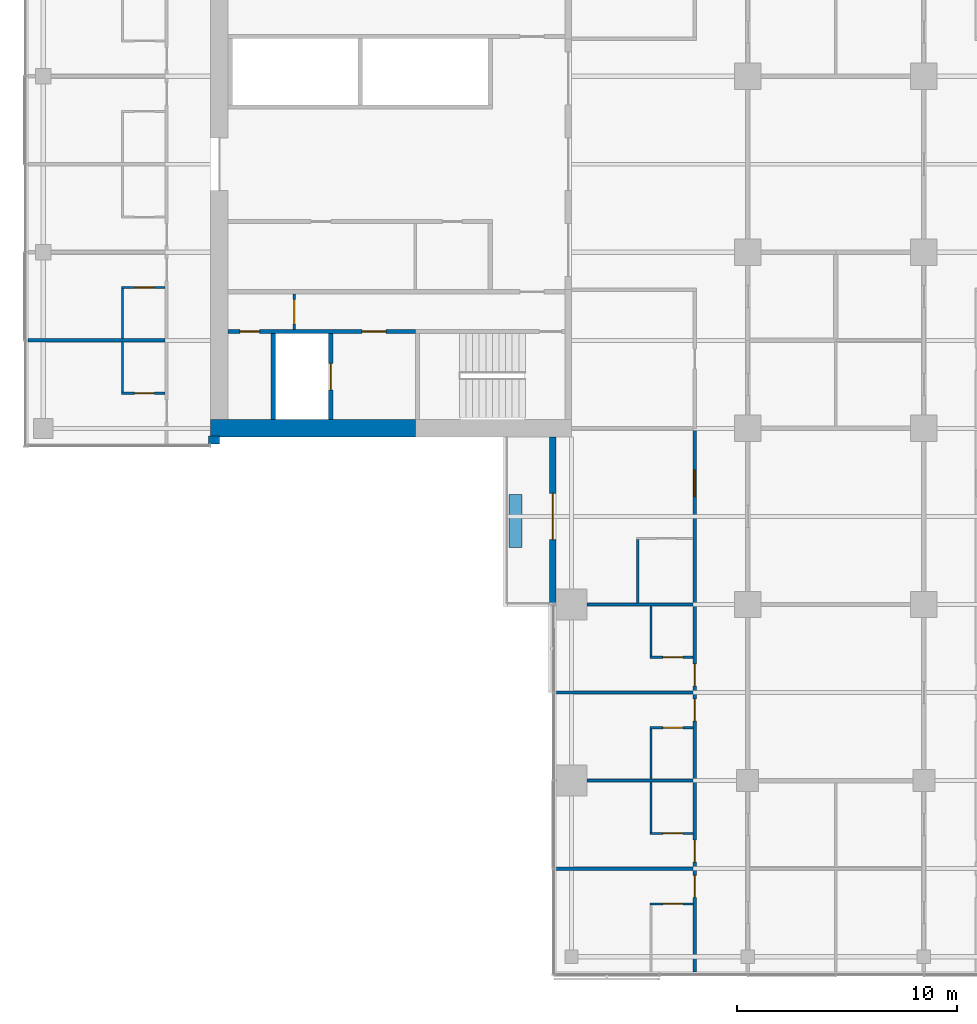
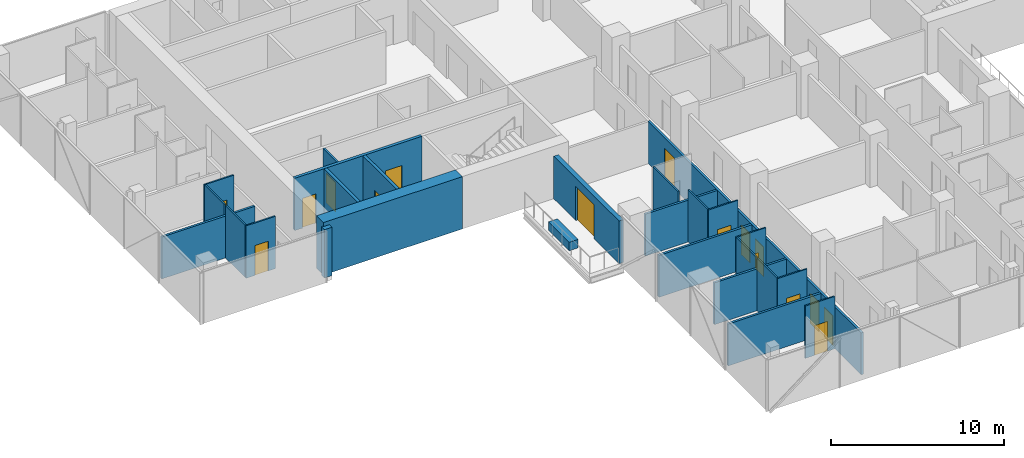
# One storey, part 15 of 29: 26 walls, 16 doors, 16 openings.
"""IFC4 building model written with IfcOpenShell, lengths in metres."""

from ifc_helpers import new_model, si_unit, direction, frame, frame_2d, origin, place, context, subcontext, project, spatial, rectangle, extrude, material, layer, layer_set, constituent, constituent_set, type_object, element, fill, save


model = new_model("IFC4")

# Units and contexts
model_context = context("Model", 3, precision=1e-05, world=origin(), true_north=direction((0.0, 1.0)))
body_context = subcontext(model_context, "Body", "Model", "MODEL_VIEW")
ifc_project = project(units=[si_unit("LENGTHUNIT", "METRE"), si_unit("AREAUNIT", "SQUARE_METRE"), si_unit("VOLUMEUNIT", "CUBIC_METRE"), si_unit("PLANEANGLEUNIT", "RADIAN"), si_unit("MASSUNIT", "GRAM", prefix="KILO")], contexts=[model_context])

# Site, building, storey
site_placement = place(None, origin())
site = spatial("IfcSite", under=ifc_project, at=site_placement, CompositionType="ELEMENT")
building_placement = place(site_placement, origin())
building = spatial("IfcBuilding", under=site, at=building_placement, Name="Crosswind Convention Tower", CompositionType="ELEMENT")
storey_placement = place(building_placement, frame((0.0, 0.0, 53.5)))
storey = spatial("IfcBuildingStorey", under=building, at=storey_placement, Name="L07", CompositionType="ELEMENT", Elevation=53.5)

# Wall, opening, door
ifc_material_1 = material(Name="Concrete C50/60", Category="concrete")
ifc_layer_1 = layer(ifc_material_1, 0.199951171875)
ifc_layer_set_1 = layer_set([ifc_layer_1], Name="Concrete C50/60")
wall_type_1 = type_object("IfcWallType", Name="Concrete shaft and stair wall 200", PredefinedType="SHEAR", material=ifc_layer_set_1)
wall_1_placement = place(storey_placement, frame((102.050048828125, 92.300048828125, 0.0), z_axis=(0.0, 0.0, 1.0), x_axis=(0.0, -1.0, 0.0)))
wall_1 = element("IfcWall", 1, at=wall_1_placement, inside=storey, type_object=wall_type_1, Name="Wall PFLW W L07", PredefinedType="SHEAR", context=body_context, shape_type="SweptSolid", body=[
    extrude(rectangle(XDim=3.900146484375, YDim=0.199951171875, at=frame_2d((1.9501953125, 0.0))), origin(), (0.0, 0.0, 1.0), 3.699951171875),
])
opening_1_placement = place(wall_1_placement, frame((1.35009765625, 0.0, 0.0)))
opening_1 = element("IfcOpeningElement", 2, at=opening_1_placement, cuts=wall_1, Name="Opening LD1", PredefinedType="OPENING", context=body_context, shape_type="SweptSolid", body=[
    extrude(rectangle(XDim=1.199951171875, YDim=2.10009765625, at=frame_2d((0.60009765625, 1.050048828125))), frame((0.0, 0.10986328125, 0.0), z_axis=(0.0, -1.0, 0.0), x_axis=(1.0, 0.0, 0.0)), (0.0, 0.0, 1.0), 0.219970703125),
])
ifc_material_2 = material(Name="Stainless steel", Category="steel")
door_type_1 = type_object("IfcDoorType", Name="Lift landing door 1200x2100", OperationType="DOUBLE_DOOR_SLIDING", PredefinedType="DOOR", material=ifc_material_2)
door_1_placement = place(opening_1_placement, origin())
door_1 = element("IfcDoor", 3, at=door_1_placement, inside=storey, type_object=door_type_1, Name="Landing door FF2 L07", ObjectType="LD1", OperationType="DOUBLE_DOOR_SLIDING", OverallHeight=2.10009765625, OverallWidth=1.199951171875, PredefinedType="DOOR", context=body_context, shape_type="SweptSolid", body=[
    extrude(rectangle(XDim=1.199951171875, YDim=2.10009765625, at=frame_2d((0.60009765625, 1.050048828125))), frame((0.0, 0.02490234375, 0.0), z_axis=(0.0, -1.0, 0.0), x_axis=(1.0, 0.0, 0.0)), (0.0, 0.0, 1.0), 0.050048828125),
])
fill(opening_1, door_1)

# Wall
wall_2_placement = place(storey_placement, frame((99.449951171875, 92.300048828125, 0.0), z_axis=(0.0, 0.0, 1.0), x_axis=(0.0, -1.0, 0.0)))
element("IfcWall", 4, at=wall_2_placement, inside=storey, type_object=wall_type_1, Name="Wall PFSE W L07", PredefinedType="SHEAR", context=body_context, shape_type="SweptSolid", body=[
    extrude(rectangle(XDim=3.900146484375, YDim=0.199951171875, at=frame_2d((1.9501953125, 0.0))), origin(), (0.0, 0.0, 1.0), 3.699951171875),
])

# Wall, openings, doors
wall_3_placement = place(storey_placement, frame((105.89990234375, 92.39990234375, 0.0), z_axis=(0.0, 0.0, 1.0), x_axis=(-1.0, 0.0, 0.0)))
wall_3 = element("IfcWall", 5, at=wall_3_placement, inside=storey, type_object=wall_type_1, Name="Wall PCX W L07", PredefinedType="SHEAR", context=body_context, shape_type="SweptSolid", body=[
    extrude(rectangle(XDim=8.5, YDim=0.199951171875, at=frame_2d((4.25, 0.0))), origin(), (0.0, 0.0, 1.0), 3.699951171875),
])
opening_2_placement = place(wall_3_placement, frame((1.324951171875, 0.0, 0.0)))
opening_2 = element("IfcOpeningElement", 6, at=opening_2_placement, cuts=wall_3, Name="Opening D104", PredefinedType="OPENING", context=body_context, shape_type="SweptSolid", body=[
    extrude(rectangle(XDim=1.10009765625, YDim=2.10009765625, at=frame_2d((0.550048828125, 1.050048828125))), frame((0.0, 0.10986328125, 0.0), z_axis=(0.0, -1.0, 0.0), x_axis=(1.0, 0.0, 0.0)), (0.0, 0.0, 1.0), 0.219970703125),
])
opening_3_placement = place(wall_3_placement, frame((7.074951171875, 0.0, 0.0)))
opening_3 = element("IfcOpeningElement", 7, at=opening_3_placement, cuts=wall_3, Name="Opening D106", PredefinedType="OPENING", context=body_context, shape_type="SweptSolid", body=[
    extrude(rectangle(XDim=0.89990234375, YDim=2.10009765625, at=frame_2d((0.449951171875, 1.050048828125))), frame((0.0, 0.10986328125, 0.0), z_axis=(0.0, -1.0, 0.0), x_axis=(1.0, 0.0, 0.0)), (0.0, 0.0, 1.0), 0.219970703125),
])
ifc_material_3 = material(Name="Steel fire door", Category="steel")
door_type_2 = type_object("IfcDoorType", Name="Fire-rated single door 1100x2100", OperationType="NOTDEFINED", PredefinedType="DOOR", material=ifc_material_3)
door_2_placement = place(opening_2_placement, origin())
door_2 = element("IfcDoor", 8, at=door_2_placement, inside=storey, type_object=door_type_2, Name="Fire-fighting lobby FF2 door L07", ObjectType="D104", OperationType="SINGLE_SWING_RIGHT", OverallHeight=2.10009765625, OverallWidth=1.10009765625, PredefinedType="DOOR", context=body_context, shape_type="SweptSolid", body=[
    extrude(rectangle(XDim=1.10009765625, YDim=2.10009765625, at=frame_2d((0.550048828125, 1.050048828125))), frame((0.0, 0.02490234375, 0.0), z_axis=(0.0, -1.0, 0.0), x_axis=(1.0, 0.0, 0.0)), (0.0, 0.0, 1.0), 0.050048828125),
])
fill(opening_2, door_2)
ifc_material_4 = material(Name="Timber door", Category="wood")
door_type_3 = type_object("IfcDoorType", Name="Single leaf door 900x2100", OperationType="NOTDEFINED", PredefinedType="DOOR", material=ifc_material_4)
door_3_placement = place(opening_3_placement, origin())
door_3 = element("IfcDoor", 9, at=door_3_placement, inside=storey, type_object=door_type_3, Name="Door to telecoms room L07", ObjectType="D106", OperationType="SINGLE_SWING_RIGHT", OverallHeight=2.10009765625, OverallWidth=0.89990234375, PredefinedType="DOOR", context=body_context, shape_type="SweptSolid", body=[
    extrude(rectangle(XDim=0.89990234375, YDim=2.10009765625, at=frame_2d((0.449951171875, 1.050048828125))), frame((0.0, 0.02490234375, 0.0), z_axis=(0.0, -1.0, 0.0), x_axis=(1.0, 0.0, 0.0)), (0.0, 0.0, 1.0), 0.050048828125),
])
fill(opening_3, door_3)

# Wall, opening, door
ifc_material_5 = material(Name="Gypsum plasterboard partition", Category="gypsum")
ifc_layer_2 = layer(ifc_material_5, 0.125)
ifc_layer_set_2 = layer_set([ifc_layer_2], Name="Drywall partition wall 125")
wall_type_2 = type_object("IfcWallType", Name="Drywall partition wall 125", PredefinedType="PARTITIONING", material=ifc_layer_set_2)
wall_4_placement = place(storey_placement, frame((100.39990234375, 94.10009765625, 0.0), z_axis=(0.0, 0.0, 1.0), x_axis=(0.0, -1.0, 0.0)))
wall_4 = element("IfcWall", 10, at=wall_4_placement, inside=storey, type_object=wall_type_2, Name="Wall PXC1 W L07", PredefinedType="PARTITIONING", context=body_context, shape_type="SweptSolid", body=[
    extrude(rectangle(XDim=1.60009765625, YDim=0.125, at=frame_2d((0.800048828125, 0.0))), origin(), (0.0, 0.0, 1.0), 3.699951171875),
])
opening_4_placement = place(wall_4_placement, frame((0.25, 0.0, 0.0)))
opening_4 = element("IfcOpeningElement", 11, at=opening_4_placement, cuts=wall_4, Name="Opening D104", PredefinedType="OPENING", context=body_context, shape_type="SweptSolid", body=[
    extrude(rectangle(XDim=1.10009765625, YDim=2.10009765625, at=frame_2d((0.550048828125, 1.050048828125))), frame((0.0, 0.072509765625, 0.0), z_axis=(0.0, -1.0, 0.0), x_axis=(1.0, 0.0, 0.0)), (0.0, 0.0, 1.0), 0.14501953125),
])
door_4_placement = place(opening_4_placement, origin())
door_4 = element("IfcDoor", 12, at=door_4_placement, inside=storey, type_object=door_type_2, Name="Corridor smoke door L07", ObjectType="D104", OperationType="SINGLE_SWING_RIGHT", OverallHeight=2.10009765625, OverallWidth=1.10009765625, PredefinedType="DOOR", context=body_context, shape_type="SweptSolid", body=[
    extrude(rectangle(XDim=1.10009765625, YDim=2.10009765625, at=frame_2d((0.550048828125, 1.050048828125))), frame((0.0, 0.02490234375, 0.0), z_axis=(0.0, -1.0, 0.0), x_axis=(1.0, 0.0, 0.0)), (0.0, 0.0, 1.0), 0.050048828125),
])
fill(opening_4, door_4)

# Walls
ifc_material_6 = material(Name="Acoustic plasterboard partition", Category="gypsum")
ifc_layer_3 = layer(ifc_material_6, 0.14990234375)
ifc_layer_set_3 = layer_set([ifc_layer_3], Name="GUEST ROOM WALL 150")
wall_type_3 = type_object("IfcWallType", Name="GUEST ROOM WALL 150", PredefinedType="PARTITIONING", material=ifc_layer_set_3)
wall_5_placement = place(storey_placement, frame((112.300048828125, 68.0, 0.0), z_axis=(0.0, 0.0, 1.0), x_axis=(1.0, 0.0, 0.0)))
element("IfcWall", 13, at=wall_5_placement, inside=storey, type_object=wall_type_3, Name="Guest Room Wall 3", PredefinedType="PARTITIONING", context=body_context, shape_type="SweptSolid", body=[
    extrude(rectangle(XDim=6.224853515625, YDim=0.14990234375, at=frame_2d((3.1123046875, 0.0))), origin(), (0.0, 0.0, 1.0), 2.962890625),
])
wall_6_placement = place(storey_placement, frame((113.699951171875, 72.0, 0.0), z_axis=(0.0, 0.0, 1.0), x_axis=(1.0, 0.0, 0.0)))
element("IfcWall", 14, at=wall_6_placement, inside=storey, type_object=wall_type_3, Name="Guest Room Wall 8", PredefinedType="PARTITIONING", context=body_context, shape_type="SweptSolid", body=[
    extrude(rectangle(XDim=4.824951171875, YDim=0.14990234375, at=frame_2d((2.41259765625, 0.0))), origin(), (0.0, 0.0, 1.0), 2.959716796875),
])
wall_7_placement = place(storey_placement, frame((112.300048828125, 76.0, 0.0), z_axis=(0.0, 0.0, 1.0), x_axis=(1.0, 0.0, 0.0)))
element("IfcWall", 15, at=wall_7_placement, inside=storey, type_object=wall_type_3, Name="Guest Room Wall 13", PredefinedType="PARTITIONING", context=body_context, shape_type="SweptSolid", body=[
    extrude(rectangle(XDim=6.224853515625, YDim=0.14990234375, at=frame_2d((3.1123046875, 0.0))), origin(), (0.0, 0.0, 1.0), 2.962890625),
])
wall_8_placement = place(storey_placement, frame((113.699951171875, 80.0, 0.0), z_axis=(0.0, 0.0, 1.0), x_axis=(1.0, 0.0, 0.0)))
element("IfcWall", 16, at=wall_8_placement, inside=storey, type_object=wall_type_3, Name="Guest Room Wall 17", PredefinedType="PARTITIONING", context=body_context, shape_type="SweptSolid", body=[
    extrude(rectangle(XDim=4.824951171875, YDim=0.14990234375, at=frame_2d((2.41259765625, 0.0))), origin(), (0.0, 0.0, 1.0), 2.959716796875),
])
wall_9_placement = place(storey_placement, frame((88.300048828125, 92.0, 0.0), z_axis=(0.0, 0.0, 1.0), x_axis=(1.0, 0.0, 0.0)))
element("IfcWall", 17, at=wall_9_placement, inside=storey, type_object=wall_type_3, Name="Guest Room Wall 27", PredefinedType="PARTITIONING", context=body_context, shape_type="SweptSolid", body=[
    extrude(rectangle(XDim=6.224853515625, YDim=0.14990234375, at=frame_2d((3.1123046875, 0.0))), origin(), (0.0, 0.0, 1.0), 2.962890625),
])

# Wall, openings, doors
wall_10_placement = place(storey_placement, frame((118.60009765625, 63.300048828125, 0.0), z_axis=(0.0, 0.0, 1.0), x_axis=(0.0, 1.0, 0.0)))
wall_10 = element("IfcWall", 18, at=wall_10_placement, inside=storey, type_object=wall_type_3, Name="Guest Room Wall 103", PredefinedType="PARTITIONING", context=body_context, shape_type="SweptSolid", body=[
    extrude(rectangle(XDim=24.699951171875, YDim=0.14990234375, at=frame_2d((12.35009765625, 0.0))), origin(), (0.0, 0.0, 1.0), 2.956298828125),
])
opening_5_placement = place(wall_10_placement, frame((21.60009765625, 0.0, 0.0)))
opening_5 = element("IfcOpeningElement", 19, at=opening_5_placement, cuts=wall_10, Name="Opening 07.035", PredefinedType="OPENING", context=body_context, shape_type="SweptSolid", body=[
    extrude(rectangle(XDim=1.199951171875, YDim=2.199951171875, at=frame_2d((0.60009765625, 1.10009765625))), frame((0.0, 0.0849609375, 0.0), z_axis=(0.0, -1.0, 0.0), x_axis=(1.0, 0.0, 0.0)), (0.0, 0.0, 1.0), 0.169921875),
])
opening_6_placement = place(wall_10_placement, frame((13.0, 0.0, 0.0)))
opening_6 = element("IfcOpeningElement", 20, at=opening_6_placement, cuts=wall_10, Name="Opening 07.037", PredefinedType="OPENING", context=body_context, shape_type="SweptSolid", body=[
    extrude(rectangle(XDim=1.0, YDim=2.10009765625, at=frame_2d((0.5, 1.050048828125))), frame((0.0, 0.0849609375, 0.0), z_axis=(0.0, -1.0, 0.0), x_axis=(1.0, 0.0, 0.0)), (0.0, 0.0, 1.0), 0.169921875),
])
opening_7_placement = place(wall_10_placement, frame((11.39990234375, 0.0, 0.0)))
opening_7 = element("IfcOpeningElement", 21, at=opening_7_placement, cuts=wall_10, Name="Opening 07.039", PredefinedType="OPENING", context=body_context, shape_type="SweptSolid", body=[
    extrude(rectangle(XDim=1.0, YDim=2.10009765625, at=frame_2d((0.5, 1.050048828125))), frame((0.0, 0.0849609375, 0.0), z_axis=(0.0, -1.0, 0.0), x_axis=(1.0, 0.0, 0.0)), (0.0, 0.0, 1.0), 0.169921875),
])
opening_8_placement = place(wall_10_placement, frame((5.0, 0.0, 0.0)))
opening_8 = element("IfcOpeningElement", 22, at=opening_8_placement, cuts=wall_10, Name="Opening 07.041", PredefinedType="OPENING", context=body_context, shape_type="SweptSolid", body=[
    extrude(rectangle(XDim=1.0, YDim=2.10009765625, at=frame_2d((0.5, 1.050048828125))), frame((0.0, 0.0849609375, 0.0), z_axis=(0.0, -1.0, 0.0), x_axis=(1.0, 0.0, 0.0)), (0.0, 0.0, 1.0), 0.169921875),
])
opening_9_placement = place(wall_10_placement, frame((3.39990234375, 0.0, 0.0)))
opening_9 = element("IfcOpeningElement", 23, at=opening_9_placement, cuts=wall_10, Name="Opening 07.043", PredefinedType="OPENING", context=body_context, shape_type="SweptSolid", body=[
    extrude(rectangle(XDim=1.0, YDim=2.10009765625, at=frame_2d((0.5, 1.050048828125))), frame((0.0, 0.0849609375, 0.0), z_axis=(0.0, -1.0, 0.0), x_axis=(1.0, 0.0, 0.0)), (0.0, 0.0, 1.0), 0.169921875),
])
ifc_material_7 = material(Name="Timber fire door", Category="wood")
door_type_4 = type_object("IfcDoorType", Name="GUEST ROOM DOOR 1000X2100", OperationType="NOTDEFINED", PredefinedType="DOOR", material=ifc_material_7)
door_5_placement = place(opening_6_placement, origin())
door_5 = element("IfcDoor", 24, at=door_5_placement, inside=storey, type_object=door_type_4, Name="Door 07.037", ObjectType="D1", OperationType="SINGLE_SWING_RIGHT", OverallHeight=2.10009765625, OverallWidth=1.0, PredefinedType="DOOR", context=body_context, shape_type="SweptSolid", body=[
    extrude(rectangle(XDim=1.0, YDim=2.10009765625, at=frame_2d((0.5, 1.050048828125))), frame((0.0, 0.02490234375, 0.0), z_axis=(0.0, -1.0, 0.0), x_axis=(1.0, 0.0, 0.0)), (0.0, 0.0, 1.0), 0.050048828125),
])
fill(opening_6, door_5)
door_6_placement = place(opening_7_placement, origin())
door_6 = element("IfcDoor", 25, at=door_6_placement, inside=storey, type_object=door_type_4, Name="Door 07.039", ObjectType="D1", OperationType="SINGLE_SWING_RIGHT", OverallHeight=2.10009765625, OverallWidth=1.0, PredefinedType="DOOR", context=body_context, shape_type="SweptSolid", body=[
    extrude(rectangle(XDim=1.0, YDim=2.10009765625, at=frame_2d((0.5, 1.050048828125))), frame((0.0, 0.02490234375, 0.0), z_axis=(0.0, -1.0, 0.0), x_axis=(1.0, 0.0, 0.0)), (0.0, 0.0, 1.0), 0.050048828125),
])
fill(opening_7, door_6)
door_7_placement = place(opening_8_placement, origin())
door_7 = element("IfcDoor", 26, at=door_7_placement, inside=storey, type_object=door_type_4, Name="Door 07.041", ObjectType="D1", OperationType="SINGLE_SWING_RIGHT", OverallHeight=2.10009765625, OverallWidth=1.0, PredefinedType="DOOR", context=body_context, shape_type="SweptSolid", body=[
    extrude(rectangle(XDim=1.0, YDim=2.10009765625, at=frame_2d((0.5, 1.050048828125))), frame((0.0, 0.02490234375, 0.0), z_axis=(0.0, -1.0, 0.0), x_axis=(1.0, 0.0, 0.0)), (0.0, 0.0, 1.0), 0.050048828125),
])
fill(opening_8, door_7)
door_8_placement = place(opening_9_placement, origin())
door_8 = element("IfcDoor", 27, at=door_8_placement, inside=storey, type_object=door_type_4, Name="Door 07.043", ObjectType="D1", OperationType="SINGLE_SWING_RIGHT", OverallHeight=2.10009765625, OverallWidth=1.0, PredefinedType="DOOR", context=body_context, shape_type="SweptSolid", body=[
    extrude(rectangle(XDim=1.0, YDim=2.10009765625, at=frame_2d((0.5, 1.050048828125))), frame((0.0, 0.02490234375, 0.0), z_axis=(0.0, -1.0, 0.0), x_axis=(1.0, 0.0, 0.0)), (0.0, 0.0, 1.0), 0.050048828125),
])
fill(opening_9, door_8)
door_type_5 = type_object("IfcDoorType", Name="SUITE DOOR 1200X2200", OperationType="DOUBLE_DOOR_SINGLE_SWING", PredefinedType="DOOR", material=ifc_material_7)
door_9_placement = place(opening_5_placement, origin())
door_9 = element("IfcDoor", 28, at=door_9_placement, inside=storey, type_object=door_type_5, Name="Door 07.035", ObjectType="D14", OperationType="DOUBLE_DOOR_SINGLE_SWING", OverallHeight=2.199951171875, OverallWidth=1.199951171875, PredefinedType="DOOR", context=body_context, shape_type="SweptSolid", body=[
    extrude(rectangle(XDim=1.199951171875, YDim=2.199951171875, at=frame_2d((0.60009765625, 1.10009765625))), frame((0.0, 0.02490234375, 0.0), z_axis=(0.0, -1.0, 0.0), x_axis=(1.0, 0.0, 0.0)), (0.0, 0.0, 1.0), 0.050048828125),
])
fill(opening_5, door_9)

# Walls
ifc_material_8 = material(Name="Concrete C30/37", Category="concrete")
ifc_layer_4 = layer(ifc_material_8, 0.60009765625)
ifc_layer_set_4 = layer_set([ifc_layer_4], Name="Concrete C30/37")
wall_type_4 = type_object("IfcWallType", Name="PLANTER BOX WALL 600", PredefinedType="SOLIDWALL", material=ifc_layer_set_4)
wall_11_placement = place(storey_placement, frame((110.449951171875, 85.0, 0.0), z_axis=(0.0, 0.0, 1.0), x_axis=(0.0, -1.0, 0.0)))
element("IfcWall", 29, at=wall_11_placement, inside=storey, type_object=wall_type_4, Name="PLANTER L07 S-W.1-1", PredefinedType="SOLIDWALL", context=body_context, shape_type="SweptSolid", body=[
    extrude(rectangle(XDim=2.39990234375, YDim=0.60009765625, at=frame_2d((1.199951171875, 0.0))), origin(), (0.0, 0.0, 1.0), 0.60009765625),
])
ifc_material_9 = material(Name="Terracotta rainscreen", Category="ceramic")
ifc_layer_5 = layer(ifc_material_9, 0.02001953125)
ifc_material_10 = material(Name="Mineral wool insulation", Category="insulation")
ifc_layer_6 = layer(ifc_material_10, 0.10009765625)
ifc_material_11 = material(Name="Concrete blockwork", Category="masonry")
ifc_layer_7 = layer(ifc_material_11, 0.236083984375)
ifc_layer_set_5 = layer_set([ifc_layer_5, ifc_layer_6, ifc_layer_7], Name="TERRACOTTA CORNER INFILL WALL 356")
wall_type_5 = type_object("IfcWallType", Name="TERRACOTTA CORNER INFILL WALL 356", PredefinedType="SOLIDWALL", material=ifc_layer_set_5)
wall_12_placement = place(storey_placement, frame((96.4951171875, 87.47802734375, 0.0), z_axis=(0.0, 0.0, 1.0), x_axis=(1.0, 0.0, 0.0)))
element("IfcWall", 30, at=wall_12_placement, inside=storey, type_object=wall_type_5, Name="Core corner infill wall L07 3", PredefinedType="SOLIDWALL", context=body_context, shape_type="SweptSolid", body=[
    extrude(rectangle(XDim=0.5048828125, YDim=0.35595703125, at=frame_2d((0.25244140625, 0.0))), origin(), (0.0, 0.0, 1.0), 3.419921875),
])

# Wall, opening, door
ifc_layer_8 = layer(ifc_material_9, 0.02001953125)
ifc_layer_9 = layer(ifc_material_10, 0.10009765625)
ifc_layer_10 = layer(ifc_material_11, 0.179931640625)
ifc_layer_set_6 = layer_set([ifc_layer_8, ifc_layer_9, ifc_layer_10], Name="TERRACOTTA INFILL WALL 300")
wall_type_6 = type_object("IfcWallType", Name="TERRACOTTA INFILL WALL 300", PredefinedType="SOLIDWALL", material=ifc_layer_set_6)
wall_13_placement = place(storey_placement, frame((112.14990234375, 87.60009765625, 0.0), z_axis=(0.0, 0.0, 1.0), x_axis=(0.0, -1.0, 0.0)))
wall_13 = element("IfcWall", 31, at=wall_13_placement, inside=storey, type_object=wall_type_6, Name="Notch front wall L07 S-W.1-1", PredefinedType="SOLIDWALL", context=body_context, shape_type="SweptSolid", body=[
    extrude(rectangle(XDim=7.567626953125, YDim=0.300048828125, at=frame_2d((3.78369140625, 0.0))), origin(), (0.0, 0.0, 1.0), 3.013671875),
])
opening_10_placement = place(wall_13_placement, frame((2.550048828125, 0.0, 0.0)))
opening_10 = element("IfcOpeningElement", 32, at=opening_10_placement, cuts=wall_13, Name="Opening D141", PredefinedType="OPENING", context=body_context, shape_type="SweptSolid", body=[
    extrude(rectangle(XDim=2.10009765625, YDim=2.39990234375, at=frame_2d((1.050048828125, 1.199951171875))), frame((0.0, 0.159912109375, 0.0), z_axis=(0.0, -1.0, 0.0), x_axis=(1.0, 0.0, 0.0)), (0.0, 0.0, 1.0), 0.320068359375),
])
ifc_material_12 = material(Name="Aluminium glazed door", Category="aluminium")
door_type_6 = type_object("IfcDoorType", Name="BALCONY SLIDING DOOR 2100X2400", OperationType="SLIDING_TO_LEFT", PredefinedType="DOOR", material=ifc_material_12)
door_10_placement = place(opening_10_placement, frame((2.10009765625, 0.0, 0.0), z_axis=(0.0, 0.0, 1.0), x_axis=(-1.0, 0.0, 0.0)))
door_10 = element("IfcDoor", 33, at=door_10_placement, inside=storey, type_object=door_type_6, Name="D141 balcony door L07 S-W.1-1", ObjectType="D141", OperationType="SLIDING_TO_LEFT", OverallHeight=2.39990234375, OverallWidth=2.10009765625, PredefinedType="DOOR", context=body_context, shape_type="SweptSolid", body=[
    extrude(rectangle(XDim=2.10009765625, YDim=2.39990234375, at=frame_2d((1.050048828125, 1.199951171875))), frame((0.0, 0.02490234375, 0.0), z_axis=(0.0, -1.0, 0.0), x_axis=(1.0, 0.0, 0.0)), (0.0, 0.0, 1.0), 0.050048828125),
])
fill(opening_10, door_10)

# Wall
ifc_material_13 = material(Name="Concrete C60/75", Category="concrete")
ifc_constituent_1 = constituent(ifc_material_13, Name="Structure")
ifc_constituent_2 = constituent(ifc_material_9, Name="Facing")
ifc_constituent_set = constituent_set(constituents=[ifc_constituent_1, ifc_constituent_2], Name="Concrete C60/75, Terracotta rainscreen")
wall_type_7 = type_object("IfcWallType", Name="Terracotta rainscreen on concrete core wall 800", PredefinedType="SHEAR", material=ifc_constituent_set)
wall_14_placement = place(storey_placement, frame((105.89990234375, 88.0, 0.0), z_axis=(0.0, 0.0, 1.0), x_axis=(-1.0, 0.0, 0.0)))
element("IfcWall", 34, at=wall_14_placement, inside=storey, type_object=wall_type_7, Name="Wall N2 W L07", PredefinedType="SHEAR", context=body_context, shape_type="SweptSolid", body=[
    extrude(rectangle(XDim=9.2998046875, YDim=0.800048828125, at=frame_2d((4.64990234375, 0.0))), origin(), (0.0, 0.0, 1.0), 3.699951171875),
])

# Wall, opening, door
ifc_material_14 = material(Name="Water-resistant plasterboard partition", Category="gypsum")
ifc_layer_11 = layer(ifc_material_14, 0.10009765625)
ifc_layer_set_7 = layer_set([ifc_layer_11], Name="WET ROOM PARTITION 100")
wall_type_8 = type_object("IfcWallType", Name="WET ROOM PARTITION 100", PredefinedType="PLUMBINGWALL", material=ifc_layer_set_7)
wall_15_placement = place(storey_placement, frame((116.550048828125, 66.39990234375, 0.0), z_axis=(0.0, 0.0, 1.0), x_axis=(1.0, 0.0, 0.0)))
wall_15 = element("IfcWall", 35, at=wall_15_placement, inside=storey, type_object=wall_type_8, Name="Wet Room Partition 1", PredefinedType="PLUMBINGWALL", context=body_context, shape_type="SweptSolid", body=[
    extrude(rectangle(XDim=1.974853515625, YDim=0.10009765625, at=frame_2d((0.9873046875, 0.0))), origin(), (0.0, 0.0, 1.0), 3.699951171875),
])
opening_11_placement = place(wall_15_placement, frame((0.60009765625, 0.0, 0.0)))
opening_11 = element("IfcOpeningElement", 36, at=opening_11_placement, cuts=wall_15, Name="Opening 07.044", PredefinedType="OPENING", context=body_context, shape_type="SweptSolid", body=[
    extrude(rectangle(XDim=0.89990234375, YDim=2.10009765625, at=frame_2d((0.449951171875, 1.050048828125))), frame((0.0, 0.06005859375, 0.0), z_axis=(0.0, -1.0, 0.0), x_axis=(1.0, 0.0, 0.0)), (0.0, 0.0, 1.0), 0.1201171875),
])
door_type_7 = type_object("IfcDoorType", Name="EN-SUITE DOOR 900X2100", OperationType="NOTDEFINED", PredefinedType="DOOR", material=ifc_material_4)
door_11_placement = place(opening_11_placement, frame((0.89990234375, 0.0, 0.0), z_axis=(0.0, 0.0, 1.0), x_axis=(-1.0, 0.0, 0.0)))
door_11 = element("IfcDoor", 37, at=door_11_placement, inside=storey, type_object=door_type_7, Name="Door 07.044", ObjectType="D2", OperationType="SINGLE_SWING_LEFT", OverallHeight=2.10009765625, OverallWidth=0.89990234375, PredefinedType="DOOR", context=body_context, shape_type="SweptSolid", body=[
    extrude(rectangle(XDim=0.89990234375, YDim=2.10009765625, at=frame_2d((0.449951171875, 1.050048828125))), frame((0.0, 0.02490234375, 0.0), z_axis=(0.0, -1.0, 0.0), x_axis=(1.0, 0.0, 0.0)), (0.0, 0.0, 1.0), 0.050048828125),
])
fill(opening_11, door_11)

wall_16_placement = place(storey_placement, frame((116.550048828125, 69.60009765625, 0.0), z_axis=(0.0, 0.0, 1.0), x_axis=(1.0, 0.0, 0.0)))
wall_16 = element("IfcWall", 38, at=wall_16_placement, inside=storey, type_object=wall_type_8, Name="Wet Room Partition 6", PredefinedType="PLUMBINGWALL", context=body_context, shape_type="SweptSolid", body=[
    extrude(rectangle(XDim=1.974853515625, YDim=0.10009765625, at=frame_2d((0.9873046875, 0.0))), origin(), (0.0, 0.0, 1.0), 3.699951171875),
])
opening_12_placement = place(wall_16_placement, frame((0.60009765625, 0.0, 0.0)))
opening_12 = element("IfcOpeningElement", 39, at=opening_12_placement, cuts=wall_16, Name="Opening 07.042", PredefinedType="OPENING", context=body_context, shape_type="SweptSolid", body=[
    extrude(rectangle(XDim=0.89990234375, YDim=2.10009765625, at=frame_2d((0.449951171875, 1.050048828125))), frame((0.0, 0.06005859375, 0.0), z_axis=(0.0, -1.0, 0.0), x_axis=(1.0, 0.0, 0.0)), (0.0, 0.0, 1.0), 0.1201171875),
])
door_12_placement = place(opening_12_placement, origin())
door_12 = element("IfcDoor", 40, at=door_12_placement, inside=storey, type_object=door_type_7, Name="Door 07.042", ObjectType="D2", OperationType="SINGLE_SWING_RIGHT", OverallHeight=2.10009765625, OverallWidth=0.89990234375, PredefinedType="DOOR", context=body_context, shape_type="SweptSolid", body=[
    extrude(rectangle(XDim=0.89990234375, YDim=2.10009765625, at=frame_2d((0.449951171875, 1.050048828125))), frame((0.0, 0.02490234375, 0.0), z_axis=(0.0, -1.0, 0.0), x_axis=(1.0, 0.0, 0.0)), (0.0, 0.0, 1.0), 0.050048828125),
])
fill(opening_12, door_12)

wall_17_placement = place(storey_placement, frame((116.550048828125, 74.39990234375, 0.0), z_axis=(0.0, 0.0, 1.0), x_axis=(1.0, 0.0, 0.0)))
wall_17 = element("IfcWall", 41, at=wall_17_placement, inside=storey, type_object=wall_type_8, Name="Wet Room Partition 11", PredefinedType="PLUMBINGWALL", context=body_context, shape_type="SweptSolid", body=[
    extrude(rectangle(XDim=1.974853515625, YDim=0.10009765625, at=frame_2d((0.9873046875, 0.0))), origin(), (0.0, 0.0, 1.0), 3.699951171875),
])
opening_13_placement = place(wall_17_placement, frame((0.60009765625, 0.0, 0.0)))
opening_13 = element("IfcOpeningElement", 42, at=opening_13_placement, cuts=wall_17, Name="Opening 07.040", PredefinedType="OPENING", context=body_context, shape_type="SweptSolid", body=[
    extrude(rectangle(XDim=0.89990234375, YDim=2.10009765625, at=frame_2d((0.449951171875, 1.050048828125))), frame((0.0, 0.06005859375, 0.0), z_axis=(0.0, -1.0, 0.0), x_axis=(1.0, 0.0, 0.0)), (0.0, 0.0, 1.0), 0.1201171875),
])
door_13_placement = place(opening_13_placement, frame((0.89990234375, 0.0, 0.0), z_axis=(0.0, 0.0, 1.0), x_axis=(-1.0, 0.0, 0.0)))
door_13 = element("IfcDoor", 43, at=door_13_placement, inside=storey, type_object=door_type_7, Name="Door 07.040", ObjectType="D2", OperationType="SINGLE_SWING_LEFT", OverallHeight=2.10009765625, OverallWidth=0.89990234375, PredefinedType="DOOR", context=body_context, shape_type="SweptSolid", body=[
    extrude(rectangle(XDim=0.89990234375, YDim=2.10009765625, at=frame_2d((0.449951171875, 1.050048828125))), frame((0.0, 0.02490234375, 0.0), z_axis=(0.0, -1.0, 0.0), x_axis=(1.0, 0.0, 0.0)), (0.0, 0.0, 1.0), 0.050048828125),
])
fill(opening_13, door_13)

wall_18_placement = place(storey_placement, frame((116.550048828125, 77.60009765625, 0.0), z_axis=(0.0, 0.0, 1.0), x_axis=(1.0, 0.0, 0.0)))
wall_18 = element("IfcWall", 44, at=wall_18_placement, inside=storey, type_object=wall_type_8, Name="Wet Room Partition 15", PredefinedType="PLUMBINGWALL", context=body_context, shape_type="SweptSolid", body=[
    extrude(rectangle(XDim=1.974853515625, YDim=0.10009765625, at=frame_2d((0.9873046875, 0.0))), origin(), (0.0, 0.0, 1.0), 3.699951171875),
])
opening_14_placement = place(wall_18_placement, frame((0.60009765625, 0.0, 0.0)))
opening_14 = element("IfcOpeningElement", 45, at=opening_14_placement, cuts=wall_18, Name="Opening 07.038", PredefinedType="OPENING", context=body_context, shape_type="SweptSolid", body=[
    extrude(rectangle(XDim=0.89990234375, YDim=2.10009765625, at=frame_2d((0.449951171875, 1.050048828125))), frame((0.0, 0.06005859375, 0.0), z_axis=(0.0, -1.0, 0.0), x_axis=(1.0, 0.0, 0.0)), (0.0, 0.0, 1.0), 0.1201171875),
])
door_14_placement = place(opening_14_placement, origin())
door_14 = element("IfcDoor", 46, at=door_14_placement, inside=storey, type_object=door_type_7, Name="Door 07.038", ObjectType="D2", OperationType="SINGLE_SWING_RIGHT", OverallHeight=2.10009765625, OverallWidth=0.89990234375, PredefinedType="DOOR", context=body_context, shape_type="SweptSolid", body=[
    extrude(rectangle(XDim=0.89990234375, YDim=2.10009765625, at=frame_2d((0.449951171875, 1.050048828125))), frame((0.0, 0.02490234375, 0.0), z_axis=(0.0, -1.0, 0.0), x_axis=(1.0, 0.0, 0.0)), (0.0, 0.0, 1.0), 0.050048828125),
])
fill(opening_14, door_14)

wall_19_placement = place(storey_placement, frame((92.550048828125, 89.60009765625, 0.0), z_axis=(0.0, 0.0, 1.0), x_axis=(1.0, 0.0, 0.0)))
wall_19 = element("IfcWall", 47, at=wall_19_placement, inside=storey, type_object=wall_type_8, Name="Wet Room Partition 25", PredefinedType="PLUMBINGWALL", context=body_context, shape_type="SweptSolid", body=[
    extrude(rectangle(XDim=1.974853515625, YDim=0.10009765625, at=frame_2d((0.9873046875, 0.0))), origin(), (0.0, 0.0, 1.0), 3.699951171875),
])
opening_15_placement = place(wall_19_placement, frame((0.60009765625, 0.0, 0.0)))
opening_15 = element("IfcOpeningElement", 48, at=opening_15_placement, cuts=wall_19, Name="Opening 07.058", PredefinedType="OPENING", context=body_context, shape_type="SweptSolid", body=[
    extrude(rectangle(XDim=0.89990234375, YDim=2.10009765625, at=frame_2d((0.449951171875, 1.050048828125))), frame((0.0, 0.06005859375, 0.0), z_axis=(0.0, -1.0, 0.0), x_axis=(1.0, 0.0, 0.0)), (0.0, 0.0, 1.0), 0.1201171875),
])
door_15_placement = place(opening_15_placement, origin())
door_15 = element("IfcDoor", 49, at=door_15_placement, inside=storey, type_object=door_type_7, Name="Door 07.058", ObjectType="D2", OperationType="SINGLE_SWING_RIGHT", OverallHeight=2.10009765625, OverallWidth=0.89990234375, PredefinedType="DOOR", context=body_context, shape_type="SweptSolid", body=[
    extrude(rectangle(XDim=0.89990234375, YDim=2.10009765625, at=frame_2d((0.449951171875, 1.050048828125))), frame((0.0, 0.02490234375, 0.0), z_axis=(0.0, -1.0, 0.0), x_axis=(1.0, 0.0, 0.0)), (0.0, 0.0, 1.0), 0.050048828125),
])
fill(opening_15, door_15)

wall_20_placement = place(storey_placement, frame((92.550048828125, 94.39990234375, 0.0), z_axis=(0.0, 0.0, 1.0), x_axis=(1.0, 0.0, 0.0)))
wall_20 = element("IfcWall", 50, at=wall_20_placement, inside=storey, type_object=wall_type_8, Name="Wet Room Partition 33", PredefinedType="PLUMBINGWALL", context=body_context, shape_type="SweptSolid", body=[
    extrude(rectangle(XDim=1.974853515625, YDim=0.10009765625, at=frame_2d((0.9873046875, 0.0))), origin(), (0.0, 0.0, 1.0), 3.699951171875),
])
opening_16_placement = place(wall_20_placement, frame((0.60009765625, 0.0, 0.0)))
opening_16 = element("IfcOpeningElement", 51, at=opening_16_placement, cuts=wall_20, Name="Opening 07.060", PredefinedType="OPENING", context=body_context, shape_type="SweptSolid", body=[
    extrude(rectangle(XDim=0.89990234375, YDim=2.10009765625, at=frame_2d((0.449951171875, 1.050048828125))), frame((0.0, 0.06005859375, 0.0), z_axis=(0.0, -1.0, 0.0), x_axis=(1.0, 0.0, 0.0)), (0.0, 0.0, 1.0), 0.1201171875),
])
door_16_placement = place(opening_16_placement, frame((0.89990234375, 0.0, 0.0), z_axis=(0.0, 0.0, 1.0), x_axis=(-1.0, 0.0, 0.0)))
door_16 = element("IfcDoor", 52, at=door_16_placement, inside=storey, type_object=door_type_7, Name="Door 07.060", ObjectType="D2", OperationType="SINGLE_SWING_LEFT", OverallHeight=2.10009765625, OverallWidth=0.89990234375, PredefinedType="DOOR", context=body_context, shape_type="SweptSolid", body=[
    extrude(rectangle(XDim=0.89990234375, YDim=2.10009765625, at=frame_2d((0.449951171875, 1.050048828125))), frame((0.0, 0.02490234375, 0.0), z_axis=(0.0, -1.0, 0.0), x_axis=(1.0, 0.0, 0.0)), (0.0, 0.0, 1.0), 0.050048828125),
])
fill(opening_16, door_16)

# Walls
for number, where, z_axis, x_axis, name in (
    (53, (92.60009765625, 89.64990234375, 0.0), (0.0, 0.0, 1.0), (0.0, 1.0, 0.0), "Wet Room Partition 86"),
    (54, (92.60009765625, 92.074951171875, 0.0), (0.0, 0.0, 1.0), (0.0, 1.0, 0.0), "Wet Room Partition 87"),
):
    element("IfcWall", number, at=place(storey_placement, frame(where, z_axis=z_axis, x_axis=x_axis)), inside=storey, type_object=wall_type_8, Name=name, PredefinedType="PLUMBINGWALL", context=body_context, shape_type="SweptSolid", body=[
        extrude(rectangle(XDim=2.275146484375, YDim=0.10009765625, at=frame_2d((1.1376953125, 0.0))), origin(), (0.0, 0.0, 1.0), 3.699951171875),
    ])
wall_21_placement = place(storey_placement, frame((116.0, 80.074951171875, 0.0), z_axis=(0.0, 0.0, 1.0), x_axis=(0.0, 1.0, 0.0)))
element("IfcWall", 55, at=wall_21_placement, inside=storey, type_object=wall_type_8, Name="Wet Room Partition 93", PredefinedType="PLUMBINGWALL", context=body_context, shape_type="SweptSolid", body=[
    extrude(rectangle(XDim=2.875, YDim=0.10009765625, at=frame_2d((1.4375, 0.0))), origin(), (0.0, 0.0, 1.0), 3.699951171875),
])
for number, where, z_axis, x_axis, name in (
    (56, (116.60009765625, 69.64990234375, 0.0), (0.0, 0.0, 1.0), (0.0, 1.0, 0.0), "Wet Room Partition 96"),
    (57, (116.60009765625, 72.074951171875, 0.0), (0.0, 0.0, 1.0), (0.0, 1.0, 0.0), "Wet Room Partition 97"),
    (58, (116.60009765625, 77.64990234375, 0.0), (0.0, 0.0, 1.0), (0.0, 1.0, 0.0), "Wet Room Partition 98"),
):
    element("IfcWall", number, at=place(storey_placement, frame(where, z_axis=z_axis, x_axis=x_axis)), inside=storey, type_object=wall_type_8, Name=name, PredefinedType="PLUMBINGWALL", context=body_context, shape_type="SweptSolid", body=[
        extrude(rectangle(XDim=2.275146484375, YDim=0.10009765625, at=frame_2d((1.1376953125, 0.0))), origin(), (0.0, 0.0, 1.0), 3.699951171875),
    ])

save(model, "model.ifc")
